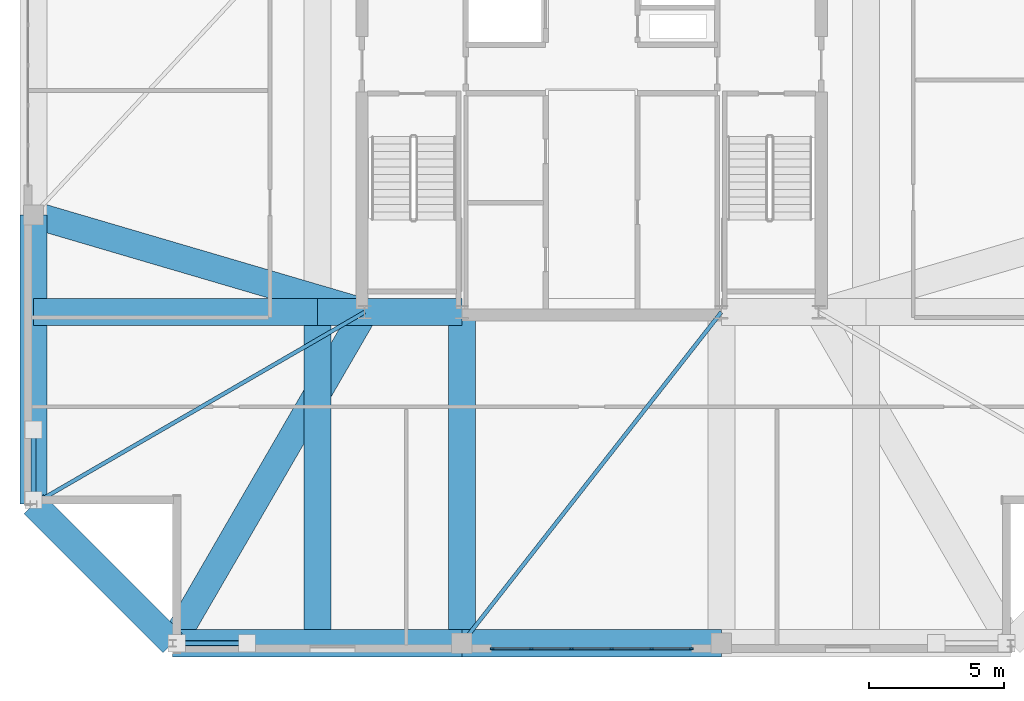
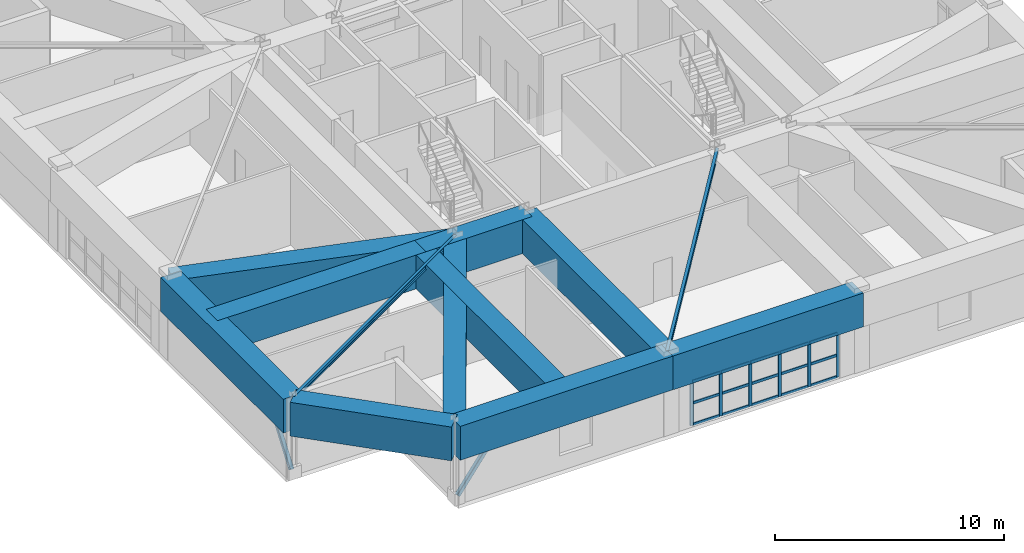
# One storey, part 6 of 17: 23 members, 12 beams, 1 element without a shape of its own.
"""IFC4 building model written with IfcOpenShell, lengths in metres."""

from ifc_helpers import new_model, si_unit, direction, frame, origin, origin_2d, place, context, subcontext, project, spatial, rectangle, hollow_rectangle, i_section, extrude, material, layer, layer_set, material_profile, profile_set, type_object, element, aggregate, save


model = new_model("IFC4")

# Units and contexts
model_context = context("Model", 3, precision=1e-05, world=origin(), true_north=direction((0.0, 1.0)))
body_context = subcontext(model_context, "Body", "Model", "MODEL_VIEW")
ifc_project = project(units=[si_unit("LENGTHUNIT", "METRE"), si_unit("AREAUNIT", "SQUARE_METRE"), si_unit("VOLUMEUNIT", "CUBIC_METRE"), si_unit("PLANEANGLEUNIT", "RADIAN"), si_unit("MASSUNIT", "GRAM", prefix="KILO")], contexts=[model_context])

# Site, building, storey
site_placement = place(None, origin())
site = spatial("IfcSite", under=ifc_project, at=site_placement, CompositionType="ELEMENT")
building_placement = place(site_placement, origin())
building = spatial("IfcBuilding", under=site, at=building_placement, Name="Cairnveth Concourse Tower", CompositionType="ELEMENT")
storey_placement = place(building_placement, frame((0.0, 0.0, 320.0)))
storey = spatial("IfcBuildingStorey", under=building, at=storey_placement, Name="L88", CompositionType="ELEMENT", Elevation=320.0)

# Curtain wall, members
ifc_material_1 = material(Name="Architectural Bronze Anodised Aluminium 6063-T6", Category="aluminium")
ifc_layer = layer(ifc_material_1, 0.300048828125)
ifc_layer_set = layer_set([ifc_layer], Name="Architectural Bronze Anodised Aluminium 6063-T6")
curtain_wall_type = type_object("IfcCurtainWallType", Name="OBSERVATION HORIZON CURTAIN WALL", PredefinedType="USERDEFINED", material=ifc_layer_set)
curtain_wall_placement = place(storey_placement, origin())
curtain_wall = element("IfcCurtainWall", 1, at=curtain_wall_placement, inside=storey, type_object=curtain_wall_type, Name="Curtain Wall CW-L88-F6", ObjectType="UNITISED FACADE", PredefinedType="USERDEFINED")
ifc_material_profile_1 = material_profile(ifc_material_1, rectangle(XDim=0.06494140625, YDim=0.14990234375, at=origin_2d()), Name="AL-MUL-65x150")
ifc_profile_set_1 = profile_set([ifc_material_profile_1], Name="Architectural Bronze Anodised Aluminium 6063-T6")
member_type_1 = type_object("IfcMemberType", Name="BRONZE CURTAIN WALL MULLION AL-MUL-65x150", PredefinedType="MULLION", material=ifc_profile_set_1)
member_1_placement = place(storey_placement, frame((55.6826171875, 18.14990234375, 0.0), z_axis=(0.0, 0.0, 1.0), x_axis=(0.0, -1.0, 0.0)))
member_1 = element("IfcMember", 2, at=member_1_placement, type_object=member_type_1, Name="CWS5 mullion 1", PredefinedType="MULLION", context=body_context, shape_type="SweptSolid", body=[
    extrude(rectangle(XDim=0.06494140625, YDim=0.14990234375, at=origin_2d()), origin(), (0.0, 0.0, 1.0), 2.35009765625),
])
member_2_placement = place(storey_placement, frame((54.22900390625, 18.14990234375, 0.0), z_axis=(0.0, 0.0, 1.0), x_axis=(0.0, -1.0, 0.0)))
member_2 = element("IfcMember", 3, at=member_2_placement, type_object=member_type_1, Name="CWS5 mullion 2", PredefinedType="MULLION", context=body_context, shape_type="SweptSolid", body=[
    extrude(rectangle(XDim=0.06494140625, YDim=0.14990234375, at=origin_2d()), origin(), (0.0, 0.0, 1.0), 2.35009765625),
])
member_3_placement = place(storey_placement, frame((52.742919921875, 18.14990234375, 0.0), z_axis=(0.0, 0.0, 1.0), x_axis=(0.0, -1.0, 0.0)))
member_3 = element("IfcMember", 4, at=member_3_placement, type_object=member_type_1, Name="CWS5 mullion 3", PredefinedType="MULLION", context=body_context, shape_type="SweptSolid", body=[
    extrude(rectangle(XDim=0.06494140625, YDim=0.14990234375, at=origin_2d()), origin(), (0.0, 0.0, 1.0), 2.35009765625),
])
member_4_placement = place(storey_placement, frame((51.257080078125, 18.14990234375, 0.0), z_axis=(0.0, 0.0, 1.0), x_axis=(0.0, -1.0, 0.0)))
member_4 = element("IfcMember", 5, at=member_4_placement, type_object=member_type_1, Name="CWS5 mullion 4", PredefinedType="MULLION", context=body_context, shape_type="SweptSolid", body=[
    extrude(rectangle(XDim=0.06494140625, YDim=0.14990234375, at=origin_2d()), origin(), (0.0, 0.0, 1.0), 2.35009765625),
])
member_5_placement = place(storey_placement, frame((49.77099609375, 18.14990234375, 0.0), z_axis=(0.0, 0.0, 1.0), x_axis=(0.0, -1.0, 0.0)))
member_5 = element("IfcMember", 6, at=member_5_placement, type_object=member_type_1, Name="CWS5 mullion 5", PredefinedType="MULLION", context=body_context, shape_type="SweptSolid", body=[
    extrude(rectangle(XDim=0.06494140625, YDim=0.14990234375, at=origin_2d()), origin(), (0.0, 0.0, 1.0), 2.35009765625),
])
member_6_placement = place(storey_placement, frame((48.3173828125, 18.14990234375, 0.0), z_axis=(0.0, 0.0, 1.0), x_axis=(0.0, -1.0, 0.0)))
member_6 = element("IfcMember", 7, at=member_6_placement, type_object=member_type_1, Name="CWS5 mullion 6", PredefinedType="MULLION", context=body_context, shape_type="SweptSolid", body=[
    extrude(rectangle(XDim=0.06494140625, YDim=0.14990234375, at=origin_2d()), origin(), (0.0, 0.0, 1.0), 2.35009765625),
])
ifc_material_profile_2 = material_profile(ifc_material_1, rectangle(XDim=0.06494140625, YDim=0.139892578125, at=origin_2d()), Name="AL-TRN-65x140")
ifc_profile_set_2 = profile_set([ifc_material_profile_2], Name="Architectural Bronze Anodised Aluminium 6063-T6")
member_type_2 = type_object("IfcMemberType", Name="BRONZE CURTAIN WALL TRANSOM AL-TRN-65x140", PredefinedType="USERDEFINED", material=ifc_profile_set_2)
member_7_placement = place(storey_placement, frame((55.64990234375, 18.14990234375, 0.032470703125), z_axis=(-1.0, 0.0, 0.0), x_axis=(0.0, -1.0, 0.0)))
member_7 = element("IfcMember", 8, at=member_7_placement, type_object=member_type_2, Name="CWS5 transom 1.1", ObjectType="TRANSOM", PredefinedType="USERDEFINED", context=body_context, shape_type="SweptSolid", body=[
    extrude(rectangle(XDim=0.06494140625, YDim=0.139892578125, at=origin_2d()), origin(), (0.0, 0.0, 1.0), 1.388427734375),
])
member_8_placement = place(storey_placement, frame((55.64990234375, 18.14990234375, 1.175048828125), z_axis=(-1.0, 0.0, 0.0), x_axis=(0.0, -1.0, 0.0)))
member_8 = element("IfcMember", 9, at=member_8_placement, type_object=member_type_2, Name="CWS5 transom 1.2", ObjectType="TRANSOM", PredefinedType="USERDEFINED", context=body_context, shape_type="SweptSolid", body=[
    extrude(rectangle(XDim=0.06494140625, YDim=0.139892578125, at=origin_2d()), origin(), (0.0, 0.0, 1.0), 1.388427734375),
])
member_9_placement = place(storey_placement, frame((55.64990234375, 18.14990234375, 2.3173828125), z_axis=(-1.0, 0.0, 0.0), x_axis=(0.0, -1.0, 0.0)))
member_9 = element("IfcMember", 10, at=member_9_placement, type_object=member_type_2, Name="CWS5 transom 1.3", ObjectType="TRANSOM", PredefinedType="USERDEFINED", context=body_context, shape_type="SweptSolid", body=[
    extrude(rectangle(XDim=0.06494140625, YDim=0.139892578125, at=origin_2d()), origin(), (0.0, 0.0, 1.0), 1.388427734375),
])
member_10_placement = place(storey_placement, frame((54.196533203125, 18.14990234375, 0.032470703125), z_axis=(-1.0, 0.0, 0.0), x_axis=(0.0, -1.0, 0.0)))
member_10 = element("IfcMember", 11, at=member_10_placement, type_object=member_type_2, Name="CWS5 transom 2.1", ObjectType="TRANSOM", PredefinedType="USERDEFINED", context=body_context, shape_type="SweptSolid", body=[
    extrude(rectangle(XDim=0.06494140625, YDim=0.139892578125, at=origin_2d()), origin(), (0.0, 0.0, 1.0), 1.421142578125),
])
member_11_placement = place(storey_placement, frame((54.196533203125, 18.14990234375, 1.175048828125), z_axis=(-1.0, 0.0, 0.0), x_axis=(0.0, -1.0, 0.0)))
member_11 = element("IfcMember", 12, at=member_11_placement, type_object=member_type_2, Name="CWS5 transom 2.2", ObjectType="TRANSOM", PredefinedType="USERDEFINED", context=body_context, shape_type="SweptSolid", body=[
    extrude(rectangle(XDim=0.06494140625, YDim=0.139892578125, at=origin_2d()), origin(), (0.0, 0.0, 1.0), 1.421142578125),
])
member_12_placement = place(storey_placement, frame((54.196533203125, 18.14990234375, 2.3173828125), z_axis=(-1.0, 0.0, 0.0), x_axis=(0.0, -1.0, 0.0)))
member_12 = element("IfcMember", 13, at=member_12_placement, type_object=member_type_2, Name="CWS5 transom 2.3", ObjectType="TRANSOM", PredefinedType="USERDEFINED", context=body_context, shape_type="SweptSolid", body=[
    extrude(rectangle(XDim=0.06494140625, YDim=0.139892578125, at=origin_2d()), origin(), (0.0, 0.0, 1.0), 1.421142578125),
])
member_13_placement = place(storey_placement, frame((52.71044921875, 18.14990234375, 0.032470703125), z_axis=(-1.0, 0.0, 0.0), x_axis=(0.0, -1.0, 0.0)))
member_13 = element("IfcMember", 14, at=member_13_placement, type_object=member_type_2, Name="CWS5 transom 3.1", ObjectType="TRANSOM", PredefinedType="USERDEFINED", context=body_context, shape_type="SweptSolid", body=[
    extrude(rectangle(XDim=0.06494140625, YDim=0.139892578125, at=origin_2d()), origin(), (0.0, 0.0, 1.0), 1.4208984375),
])
member_14_placement = place(storey_placement, frame((52.71044921875, 18.14990234375, 1.175048828125), z_axis=(-1.0, 0.0, 0.0), x_axis=(0.0, -1.0, 0.0)))
member_14 = element("IfcMember", 15, at=member_14_placement, type_object=member_type_2, Name="CWS5 transom 3.2", ObjectType="TRANSOM", PredefinedType="USERDEFINED", context=body_context, shape_type="SweptSolid", body=[
    extrude(rectangle(XDim=0.06494140625, YDim=0.139892578125, at=origin_2d()), origin(), (0.0, 0.0, 1.0), 1.4208984375),
])
member_15_placement = place(storey_placement, frame((52.71044921875, 18.14990234375, 2.3173828125), z_axis=(-1.0, 0.0, 0.0), x_axis=(0.0, -1.0, 0.0)))
member_15 = element("IfcMember", 16, at=member_15_placement, type_object=member_type_2, Name="CWS5 transom 3.3", ObjectType="TRANSOM", PredefinedType="USERDEFINED", context=body_context, shape_type="SweptSolid", body=[
    extrude(rectangle(XDim=0.06494140625, YDim=0.139892578125, at=origin_2d()), origin(), (0.0, 0.0, 1.0), 1.4208984375),
])
member_16_placement = place(storey_placement, frame((51.224609375, 18.14990234375, 0.032470703125), z_axis=(-1.0, 0.0, 0.0), x_axis=(0.0, -1.0, 0.0)))
member_16 = element("IfcMember", 17, at=member_16_placement, type_object=member_type_2, Name="CWS5 transom 4.1", ObjectType="TRANSOM", PredefinedType="USERDEFINED", context=body_context, shape_type="SweptSolid", body=[
    extrude(rectangle(XDim=0.06494140625, YDim=0.139892578125, at=origin_2d()), origin(), (0.0, 0.0, 1.0), 1.421142578125),
])
member_17_placement = place(storey_placement, frame((51.224609375, 18.14990234375, 1.175048828125), z_axis=(-1.0, 0.0, 0.0), x_axis=(0.0, -1.0, 0.0)))
member_17 = element("IfcMember", 18, at=member_17_placement, type_object=member_type_2, Name="CWS5 transom 4.2", ObjectType="TRANSOM", PredefinedType="USERDEFINED", context=body_context, shape_type="SweptSolid", body=[
    extrude(rectangle(XDim=0.06494140625, YDim=0.139892578125, at=origin_2d()), origin(), (0.0, 0.0, 1.0), 1.421142578125),
])
member_18_placement = place(storey_placement, frame((51.224609375, 18.14990234375, 2.3173828125), z_axis=(-1.0, 0.0, 0.0), x_axis=(0.0, -1.0, 0.0)))
member_18 = element("IfcMember", 19, at=member_18_placement, type_object=member_type_2, Name="CWS5 transom 4.3", ObjectType="TRANSOM", PredefinedType="USERDEFINED", context=body_context, shape_type="SweptSolid", body=[
    extrude(rectangle(XDim=0.06494140625, YDim=0.139892578125, at=origin_2d()), origin(), (0.0, 0.0, 1.0), 1.421142578125),
])
member_19_placement = place(storey_placement, frame((49.738525390625, 18.14990234375, 0.032470703125), z_axis=(-1.0, 0.0, 0.0), x_axis=(0.0, -1.0, 0.0)))
member_19 = element("IfcMember", 20, at=member_19_placement, type_object=member_type_2, Name="CWS5 transom 5.1", ObjectType="TRANSOM", PredefinedType="USERDEFINED", context=body_context, shape_type="SweptSolid", body=[
    extrude(rectangle(XDim=0.06494140625, YDim=0.139892578125, at=origin_2d()), origin(), (0.0, 0.0, 1.0), 1.388427734375),
])
member_20_placement = place(storey_placement, frame((49.738525390625, 18.14990234375, 1.175048828125), z_axis=(-1.0, 0.0, 0.0), x_axis=(0.0, -1.0, 0.0)))
member_20 = element("IfcMember", 21, at=member_20_placement, type_object=member_type_2, Name="CWS5 transom 5.2", ObjectType="TRANSOM", PredefinedType="USERDEFINED", context=body_context, shape_type="SweptSolid", body=[
    extrude(rectangle(XDim=0.06494140625, YDim=0.139892578125, at=origin_2d()), origin(), (0.0, 0.0, 1.0), 1.388427734375),
])
member_21_placement = place(storey_placement, frame((49.738525390625, 18.14990234375, 2.3173828125), z_axis=(-1.0, 0.0, 0.0), x_axis=(0.0, -1.0, 0.0)))
member_21 = element("IfcMember", 22, at=member_21_placement, type_object=member_type_2, Name="CWS5 transom 5.3", ObjectType="TRANSOM", PredefinedType="USERDEFINED", context=body_context, shape_type="SweptSolid", body=[
    extrude(rectangle(XDim=0.06494140625, YDim=0.139892578125, at=origin_2d()), origin(), (0.0, 0.0, 1.0), 1.388427734375),
])
aggregate(curtain_wall, [member_1, member_2, member_3, member_4, member_5, member_6, member_7, member_8, member_9, member_10, member_11, member_12, member_13, member_14, member_15, member_16, member_17, member_18, member_19, member_20, member_21])

# Beams
ifc_material_2 = material(Name="Concrete N65 (65 MPa)", Category="concrete")
ifc_material_profile_3 = material_profile(ifc_material_2, rectangle(XDim=1.0, YDim=1.800048828125, at=origin_2d()), Name="RC-TB-1000x1800")
ifc_profile_set_3 = profile_set([ifc_material_profile_3], Name="Concrete N65 (65 MPa)")
beam_type_1 = type_object("IfcBeamType", Name="CONCRETE TRANSFER GIRDER 1000X1800", PredefinedType="BEAM", material=ifc_profile_set_3)
beam_1_placement = place(storey_placement, frame((36.5, 18.35009765625, 3.35009765625), z_axis=(1.0, 0.0, 0.0), x_axis=(0.0, 1.0, 0.0)))
element("IfcBeam", 23, at=beam_1_placement, inside=storey, type_object=beam_type_1, Name="Beam SP-S1 L88", PredefinedType="BEAM", context=body_context, shape_type="SweptSolid", body=[
    extrude(rectangle(XDim=1.0, YDim=1.800048828125, at=origin_2d()), origin(), (0.0, 0.0, 1.0), 10.699951171875),
])
beam_2_placement = place(storey_placement, frame((47.199951171875, 18.35009765625, 3.35009765625), z_axis=(1.0, 0.0, 0.0), x_axis=(0.0, 1.0, 0.0)))
element("IfcBeam", 24, at=beam_2_placement, inside=storey, type_object=beam_type_1, Name="Beam SP-S2 L88", PredefinedType="BEAM", context=body_context, shape_type="SweptSolid", body=[
    extrude(rectangle(XDim=1.0, YDim=1.800048828125, at=origin_2d()), origin(), (0.0, 0.0, 1.0), 9.60009765625),
])
beam_3_placement = place(storey_placement, frame((31.35009765625, 23.5, 3.35009765625), z_axis=(0.0, 1.0, 0.0), x_axis=(-1.0, 0.0, 0.0)))
element("IfcBeam", 25, at=beam_3_placement, inside=storey, type_object=beam_type_1, Name="Beam SP-W1 L88", PredefinedType="BEAM", context=body_context, shape_type="SweptSolid", body=[
    extrude(rectangle(XDim=1.0, YDim=1.800048828125, at=origin_2d()), origin(), (0.0, 0.0, 1.0), 10.699951171875),
])
beam_4_placement = place(storey_placement, frame((31.35009765625, 23.5, 3.35009765625), z_axis=(0.707106781187, -0.707106781187, 0.0), x_axis=(0.707106781187, 0.707106781187, 0.0)))
element("IfcBeam", 26, at=beam_4_placement, inside=storey, type_object=beam_type_1, Name="Beam SP-SW L88", PredefinedType="BEAM", context=body_context, shape_type="SweptSolid", body=[
    extrude(rectangle(XDim=1.0, YDim=1.800048828125, at=origin_2d()), origin(), (0.0, 0.0, 1.0), 7.282958984375),
])
beam_5_placement = place(storey_placement, frame((47.199951171875, 18.35009765625, 3.35009765625), z_axis=(0.0, 1.0, 0.0), x_axis=(-1.0, 0.0, 0.0)))
element("IfcBeam", 27, at=beam_5_placement, inside=storey, type_object=beam_type_1, Name="Beam RG-S1 L88", PredefinedType="BEAM", context=body_context, shape_type="SweptSolid", body=[
    extrude(rectangle(XDim=1.0, YDim=1.800048828125, at=origin_2d()), origin(), (0.0, 0.0, 1.0), 12.25),
])
beam_6_placement = place(storey_placement, frame((31.35009765625, 34.199951171875, 3.35009765625), z_axis=(0.959430938842, -0.281943741893, 0.0), x_axis=(0.281943741893, 0.959430938842, 0.0)))
element("IfcBeam", 28, at=beam_6_placement, inside=storey, type_object=beam_type_1, Name="Beam RG-W1 L88", PredefinedType="BEAM", context=body_context, shape_type="SweptSolid", body=[
    extrude(rectangle(XDim=1.0, YDim=1.800048828125, at=origin_2d()), origin(), (0.0, 0.0, 1.0), 12.76806640625),
])
beam_7_placement = place(storey_placement, frame((36.5, 18.35009765625, 3.35009765625), z_axis=(0.501458984584, 0.86518141842, 0.0), x_axis=(-0.86518141842, 0.501458984584, 0.0)))
element("IfcBeam", 29, at=beam_7_placement, inside=storey, type_object=beam_type_1, Name="Beam RG-CSW L88", PredefinedType="BEAM", context=body_context, shape_type="SweptSolid", body=[
    extrude(rectangle(XDim=1.0, YDim=1.800048828125, at=origin_2d()), origin(), (0.0, 0.0, 1.0), 14.158935546875),
])
beam_8_placement = place(storey_placement, frame((31.35009765625, 30.60009765625, 3.35009765625), z_axis=(1.0, 0.0, 0.0), x_axis=(0.0, 1.0, 0.0)))
element("IfcBeam", 30, at=beam_8_placement, inside=storey, type_object=beam_type_1, Name="Beam CTG-WM1A L88", PredefinedType="BEAM", context=body_context, shape_type="SweptSolid", body=[
    extrude(rectangle(XDim=1.0, YDim=1.800048828125, at=origin_2d()), origin(), (0.0, 0.0, 1.0), 10.5),
])
beam_9_placement = place(storey_placement, frame((41.85009765625, 30.60009765625, 3.35009765625), z_axis=(1.0, 0.0, 0.0), x_axis=(0.0, 1.0, 0.0)))
element("IfcBeam", 31, at=beam_9_placement, inside=storey, type_object=beam_type_1, Name="Beam CTG-WM1B L88", PredefinedType="BEAM", context=body_context, shape_type="SweptSolid", body=[
    extrude(rectangle(XDim=1.0, YDim=1.800048828125, at=origin_2d()), origin(), (0.0, 0.0, 1.0), 5.349853515625),
])
beam_10_placement = place(storey_placement, frame((41.85009765625, 18.5, 3.35009765625), z_axis=(0.0, 1.0, 0.0), x_axis=(-1.0, 0.0, 0.0)))
element("IfcBeam", 32, at=beam_10_placement, inside=storey, type_object=beam_type_1, Name="Beam CTG-W-NS1 L88", PredefinedType="BEAM", context=body_context, shape_type="SweptSolid", body=[
    extrude(rectangle(XDim=1.0, YDim=1.800048828125, at=origin_2d()), origin(), (0.0, 0.0, 1.0), 12.10009765625),
])
ifc_material_3 = material(Name="Steel Grade 350", Category="steel")
ifc_material_profile_4 = material_profile(ifc_material_3, i_section(OverallWidth=0.14599609375, OverallDepth=0.256103515625, WebThickness=0.00634765625, FlangeThickness=0.010986328125, FilletRadius=0.009033203125, at=origin_2d()), Name="250UB37.3")
ifc_profile_set_4 = profile_set([ifc_material_profile_4], Name="Steel Grade 350")
beam_type_2 = type_object("IfcBeamType", Name="ZONE 4 FLOOR JOIST 250UB37.3", PredefinedType="JOIST", material=ifc_profile_set_4)
beam_11_placement = place(storey_placement, frame((31.35009765625, 23.5, 4.1220703125), z_axis=(0.86518141842, 0.501458984584, 0.0), x_axis=(-0.501458984584, 0.86518141842, 0.0)))
element("IfcBeam", 33, at=beam_11_placement, inside=storey, type_object=beam_type_2, Name="Beam FJ-CSW2 L88", PredefinedType="JOIST", context=body_context, shape_type="SweptSolid", body=[
    extrude(i_section(OverallWidth=0.14599609375, OverallDepth=0.256103515625, WebThickness=0.00634765625, FlangeThickness=0.010986328125, FilletRadius=0.009033203125, at=origin_2d()), origin(), (0.0, 0.0, 1.0), 14.158935546875),
])
beam_12_placement = place(storey_placement, frame((47.199951171875, 18.35009765625, 4.1220703125), z_axis=(0.616831762718, 0.787095023807, 0.0), x_axis=(-0.787095023807, 0.616831762718, 0.0)))
element("IfcBeam", 34, at=beam_12_placement, inside=storey, type_object=beam_type_2, Name="Beam FJ-S-M1 L88", PredefinedType="JOIST", context=body_context, shape_type="SweptSolid", body=[
    extrude(i_section(OverallWidth=0.14599609375, OverallDepth=0.256103515625, WebThickness=0.00634765625, FlangeThickness=0.010986328125, FilletRadius=0.009033203125, at=origin_2d()), origin(), (0.0, 0.0, 1.0), 15.5634765625),
])

# Members
ifc_material_4 = material(Name="Steel C350L0 (350 MPa)", Category="steel")
ifc_material_profile_5 = material_profile(ifc_material_4, hollow_rectangle(XDim=0.199951171875, YDim=0.199951171875, WallThickness=0.012451171875, InnerFilletRadius=0.012939453125, OuterFilletRadius=0.02490234375, at=origin_2d()), Name="200x200x12.5SHS")
ifc_profile_set_5 = profile_set([ifc_material_profile_5], Name="Steel C350L0 (350 MPa)")
member_type_3 = type_object("IfcMemberType", Name="ZONE 4 PIER BRACE 200X200X12.5SHS", PredefinedType="BRACE", material=ifc_profile_set_5)
for number, where, z_axis, x_axis, name in (
    (35, (36.64990234375, 18.35009765625, 0.25), (0.590880096879, 0.0, 0.806759388611), (0.0, 1.0, 0.0), "Structural Brace PB-S1 L88"),
    (36, (31.35009765625, 23.64990234375, 0.25), (0.0, 0.590880096879, 0.806759388611), (-1.0, 0.0, 0.0), "Structural Brace PB-W1 L88"),
):
    element("IfcMember", number, at=place(storey_placement, frame(where, z_axis=z_axis, x_axis=x_axis)), inside=storey, type_object=member_type_3, Name=name, PredefinedType="BRACE", context=body_context, shape_type="SweptSolid", body=[
        extrude(hollow_rectangle(XDim=0.199951171875, YDim=0.199951171875, WallThickness=0.012451171875, InnerFilletRadius=0.012939453125, OuterFilletRadius=0.02490234375, at=origin_2d()), origin(), (0.0, 0.0, 1.0), 4.400390625),
    ])

save(model, "model.ifc")
